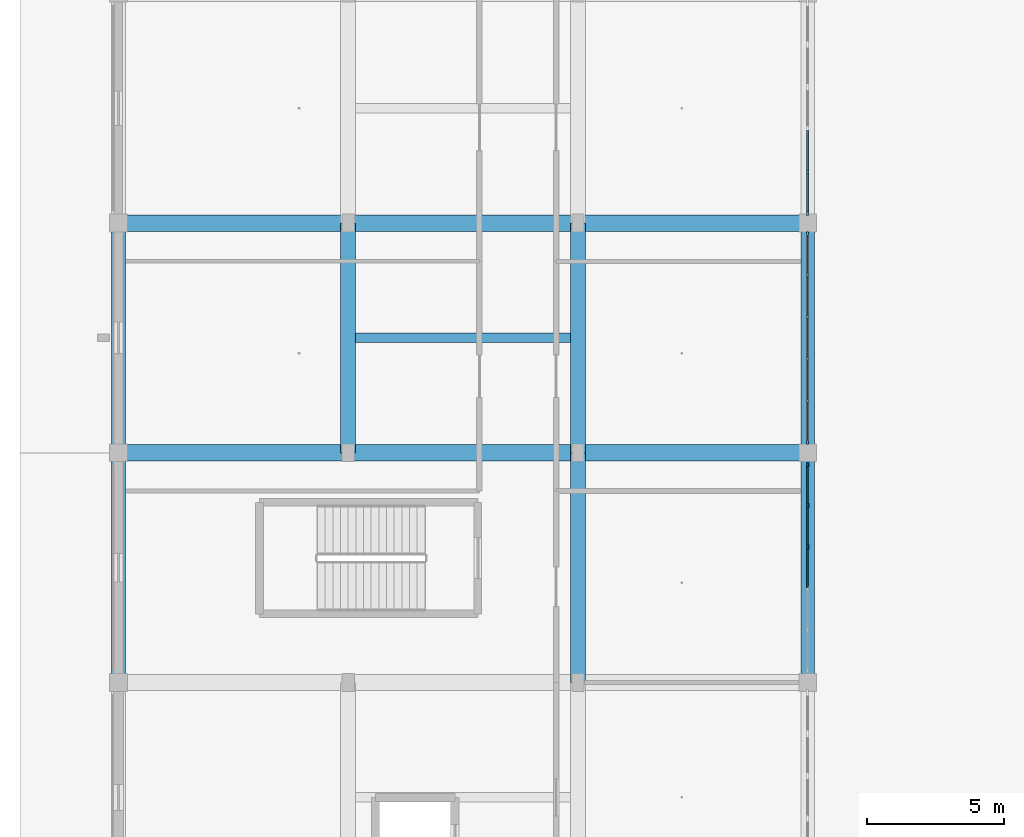
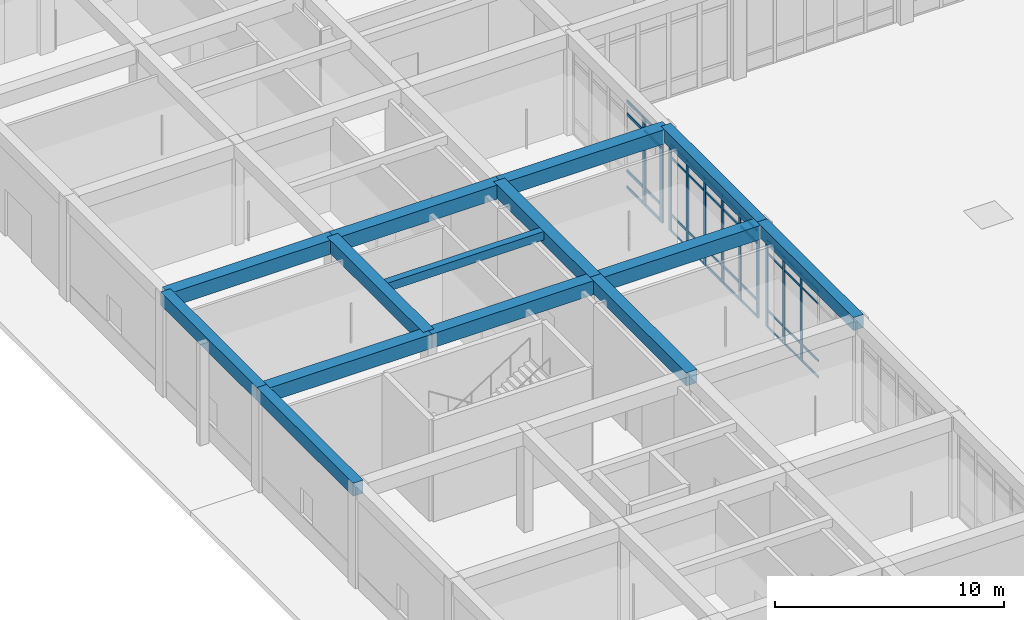
# One storey, part 24 of 167: 51 members, 14 beams, 3 elements without a shape of their own.
"""IFC4 building model written with IfcOpenShell, lengths in metres."""

from ifc_helpers import new_model, si_unit, direction, frame, origin, origin_2d, place, context, subcontext, project, spatial, rectangle, extrude, material, material_profile, profile_set, type_object, element, aggregate, save


model = new_model("IFC4")

# Units and contexts
model_context = context("Model", 3, precision=1e-05, world=origin(), true_north=direction((0.0, 1.0)))
body_context = subcontext(model_context, "Body", "Model", "MODEL_VIEW")
ifc_project = project(units=[si_unit("LENGTHUNIT", "METRE"), si_unit("AREAUNIT", "SQUARE_METRE"), si_unit("VOLUMEUNIT", "CUBIC_METRE"), si_unit("PLANEANGLEUNIT", "RADIAN"), si_unit("MASSUNIT", "GRAM", prefix="KILO")], contexts=[model_context])

# Site, building, storey
site_placement = place(None, origin())
site = spatial("IfcSite", under=ifc_project, at=site_placement, CompositionType="ELEMENT")
building_placement = place(site_placement, origin())
building = spatial("IfcBuilding", under=site, at=building_placement, Name="Varncliffe General Hospital", CompositionType="ELEMENT")
storey_placement = place(building_placement, origin())
storey = spatial("IfcBuildingStorey", under=building, at=storey_placement, Name="L00", CompositionType="ELEMENT", Elevation=0.0)

# Beams
ifc_material_1 = material(Name="Concrete C35/45 (CSA A23.1 35 MPa)", Category="concrete")
ifc_material_profile_1 = material_profile(ifc_material_1, rectangle(XDim=0.60009765625, YDim=0.75, at=origin_2d()), Name="RC 600x750")
ifc_profile_set_1 = profile_set([ifc_material_profile_1], Name="Concrete C35/45 (CSA A23.1 35 MPa)")
beam_type_1 = type_object("IfcBeamType", Name="Beam B23 (Int RC 600x750)", PredefinedType="BEAM", material=ifc_profile_set_1)
beam_1_placement = place(storey_placement, frame((0.0, 66.0, 5.02490234375), z_axis=(1.0, 0.0, 0.0), x_axis=(0.0, 1.0, 0.0)))
element("IfcBeam", 1, at=beam_1_placement, inside=storey, type_object=beam_type_1, Name="L00 Primary Beam B23-86", PredefinedType="BEAM", context=body_context, shape_type="SweptSolid", body=[
    extrude(rectangle(XDim=0.60009765625, YDim=0.75, at=origin_2d()), origin(), (0.0, 0.0, 1.0), 8.39990234375),
])
beam_2_placement = place(storey_placement, frame((8.39990234375, 66.0, 5.02490234375), z_axis=(1.0, 0.0, 0.0), x_axis=(0.0, 1.0, 0.0)))
element("IfcBeam", 2, at=beam_2_placement, inside=storey, type_object=beam_type_1, Name="L00 Primary Beam B23-87", PredefinedType="BEAM", context=body_context, shape_type="SweptSolid", body=[
    extrude(rectangle(XDim=0.60009765625, YDim=0.75, at=origin_2d()), origin(), (0.0, 0.0, 1.0), 8.400146484375),
])
for number, where, z_axis, x_axis, name in (
    (3, (16.800048828125, 66.0, 5.02490234375), (1.0, 0.0, 0.0), (0.0, 1.0, 0.0), "L00 Primary Beam B23-88"),
    (4, (0.0, 74.39990234375, 5.02490234375), (1.0, 0.0, 0.0), (0.0, 1.0, 0.0), "L00 Primary Beam B23-99"),
):
    element("IfcBeam", number, at=place(storey_placement, frame(where, z_axis=z_axis, x_axis=x_axis)), inside=storey, type_object=beam_type_1, Name=name, PredefinedType="BEAM", context=body_context, shape_type="SweptSolid", body=[
        extrude(rectangle(XDim=0.60009765625, YDim=0.75, at=origin_2d()), origin(), (0.0, 0.0, 1.0), 8.39990234375),
    ])
beam_3_placement = place(storey_placement, frame((8.39990234375, 74.39990234375, 5.02490234375), z_axis=(1.0, 0.0, 0.0), x_axis=(0.0, 1.0, 0.0)))
element("IfcBeam", 5, at=beam_3_placement, inside=storey, type_object=beam_type_1, Name="L00 Primary Beam B23-100", PredefinedType="BEAM", context=body_context, shape_type="SweptSolid", body=[
    extrude(rectangle(XDim=0.60009765625, YDim=0.75, at=origin_2d()), origin(), (0.0, 0.0, 1.0), 8.400146484375),
])
beam_4_placement = place(storey_placement, frame((16.800048828125, 74.39990234375, 5.02490234375), z_axis=(1.0, 0.0, 0.0), x_axis=(0.0, 1.0, 0.0)))
element("IfcBeam", 6, at=beam_4_placement, inside=storey, type_object=beam_type_1, Name="L00 Primary Beam B23-101", PredefinedType="BEAM", context=body_context, shape_type="SweptSolid", body=[
    extrude(rectangle(XDim=0.60009765625, YDim=0.75, at=origin_2d()), origin(), (0.0, 0.0, 1.0), 8.39990234375),
])
ifc_material_profile_2 = material_profile(ifc_material_1, rectangle(XDim=0.550048828125, YDim=0.699951171875, at=origin_2d()), Name="RC 550x700")
ifc_profile_set_2 = profile_set([ifc_material_profile_2], Name="Concrete C35/45 (CSA A23.1 35 MPa)")
beam_type_2 = type_object("IfcBeamType", Name="Beam B35 (Int RC 550x700)", PredefinedType="BEAM", material=ifc_profile_set_2)
for number, where, z_axis, x_axis, name in (
    (7, (8.39990234375, 66.0, 5.050048828125), (0.0, 1.0, 0.0), (-1.0, 0.0, 0.0), "L00 Primary Beam B35-282"),
    (8, (16.800048828125, 57.60009765625, 5.050048828125), (0.0, 1.0, 0.0), (-1.0, 0.0, 0.0), "L00 Primary Beam B35-298"),
    (9, (16.800048828125, 66.0, 5.050048828125), (0.0, 1.0, 0.0), (-1.0, 0.0, 0.0), "L00 Primary Beam B35-299"),
):
    element("IfcBeam", number, at=place(storey_placement, frame(where, z_axis=z_axis, x_axis=x_axis)), inside=storey, type_object=beam_type_2, Name=name, PredefinedType="BEAM", context=body_context, shape_type="SweptSolid", body=[
        extrude(rectangle(XDim=0.550048828125, YDim=0.699951171875, at=origin_2d()), origin(), (0.0, 0.0, 1.0), 8.39990234375),
    ])

# Curtain wall, members
ifc_material_2 = material(Name="Triple low-E argon insulated vision glazing", Category="glass")
curtain_wall_type_1 = type_object("IfcCurtainWallType", Name="Unitised Glazed Curtain Wall CW15 (7674x4640)", PredefinedType="USERDEFINED", material=ifc_material_2)
curtain_wall_1_placement = place(storey_placement, origin())
curtain_wall_1 = element("IfcCurtainWall", 10, at=curtain_wall_1_placement, inside=storey, type_object=curtain_wall_type_1, Name="L00 Glazed Curtain Wall CW15-13", ObjectType="GLAZED CURTAIN WALL", PredefinedType="USERDEFINED")
ifc_material_3 = material(Name="Dark bronze thermally broken aluminium framing", Category="aluminium")
ifc_material_profile_3 = material_profile(ifc_material_3, rectangle(XDim=0.074951171875, YDim=0.179931640625, at=origin_2d()), Name="ALU 75x180")
ifc_profile_set_3 = profile_set([ifc_material_profile_3], Name="Dark bronze thermally broken aluminium framing")
member_type_1 = type_object("IfcMemberType", Name="Curtain Wall Mullion CM44 (ALU 75x180)", PredefinedType="MULLION", material=ifc_profile_set_3)
member_1_placement = place(storey_placement, frame((25.199951171875, 73.99951171875, 0.0), z_axis=(0.0, 0.0, 1.0), x_axis=(1.0, 0.0, 0.0)))
member_1 = element("IfcMember", 11, at=member_1_placement, type_object=member_type_1, Name="CW15 mullion 1", PredefinedType="MULLION", context=body_context, shape_type="SweptSolid", body=[
    extrude(rectangle(XDim=0.074951171875, YDim=0.179931640625, at=origin_2d()), origin(), (0.0, 0.0, 1.0), 4.639892578125),
])
member_2_placement = place(storey_placement, frame((25.199951171875, 72.502197265625, 0.0), z_axis=(0.0, 0.0, 1.0), x_axis=(1.0, 0.0, 0.0)))
member_2 = element("IfcMember", 12, at=member_2_placement, type_object=member_type_1, Name="CW15 mullion 2", PredefinedType="MULLION", context=body_context, shape_type="SweptSolid", body=[
    extrude(rectangle(XDim=0.074951171875, YDim=0.179931640625, at=origin_2d()), origin(), (0.0, 0.0, 1.0), 4.639892578125),
])
member_3_placement = place(storey_placement, frame((25.199951171875, 70.96728515625, 0.0), z_axis=(0.0, 0.0, 1.0), x_axis=(1.0, 0.0, 0.0)))
member_3 = element("IfcMember", 13, at=member_3_placement, type_object=member_type_1, Name="CW15 mullion 3", PredefinedType="MULLION", context=body_context, shape_type="SweptSolid", body=[
    extrude(rectangle(XDim=0.074951171875, YDim=0.179931640625, at=origin_2d()), origin(), (0.0, 0.0, 1.0), 4.639892578125),
])
member_4_placement = place(storey_placement, frame((25.199951171875, 69.4326171875, 0.0), z_axis=(0.0, 0.0, 1.0), x_axis=(1.0, 0.0, 0.0)))
member_4 = element("IfcMember", 14, at=member_4_placement, type_object=member_type_1, Name="CW15 mullion 4", PredefinedType="MULLION", context=body_context, shape_type="SweptSolid", body=[
    extrude(rectangle(XDim=0.074951171875, YDim=0.179931640625, at=origin_2d()), origin(), (0.0, 0.0, 1.0), 4.639892578125),
])
member_5_placement = place(storey_placement, frame((25.199951171875, 67.897705078125, 0.0), z_axis=(0.0, 0.0, 1.0), x_axis=(1.0, 0.0, 0.0)))
member_5 = element("IfcMember", 15, at=member_5_placement, type_object=member_type_1, Name="CW15 mullion 5", PredefinedType="MULLION", context=body_context, shape_type="SweptSolid", body=[
    extrude(rectangle(XDim=0.074951171875, YDim=0.179931640625, at=origin_2d()), origin(), (0.0, 0.0, 1.0), 4.639892578125),
])
member_6_placement = place(storey_placement, frame((25.199951171875, 66.400390625, 0.0), z_axis=(0.0, 0.0, 1.0), x_axis=(1.0, 0.0, 0.0)))
member_6 = element("IfcMember", 16, at=member_6_placement, type_object=member_type_1, Name="CW15 mullion 6", PredefinedType="MULLION", context=body_context, shape_type="SweptSolid", body=[
    extrude(rectangle(XDim=0.074951171875, YDim=0.179931640625, at=origin_2d()), origin(), (0.0, 0.0, 1.0), 4.639892578125),
])

curtain_wall_type_2 = type_object("IfcCurtainWallType", Name="Unitised Glazed Curtain Wall CW26 (7594x4640)", PredefinedType="USERDEFINED", material=ifc_material_2)
curtain_wall_2_placement = place(storey_placement, origin())
curtain_wall_2 = element("IfcCurtainWall", 17, at=curtain_wall_2_placement, inside=storey, type_object=curtain_wall_type_2, Name="L00 Glazed Curtain Wall CW26-14", ObjectType="GLAZED CURTAIN WALL", PredefinedType="USERDEFINED")
ifc_material_profile_4 = material_profile(ifc_material_3, rectangle(XDim=0.06494140625, YDim=0.159912109375, at=origin_2d()), Name="ALU 65x160")
ifc_profile_set_4 = profile_set([ifc_material_profile_4], Name="Dark bronze thermally broken aluminium framing")
member_type_2 = type_object("IfcMemberType", Name="Curtain Wall Mullion CM65 (ALU 65x160)", PredefinedType="MULLION", material=ifc_profile_set_4)
member_7_placement = place(storey_placement, frame((25.199951171875, 65.564453125, 0.0), z_axis=(0.0, 0.0, 1.0), x_axis=(1.0, 0.0, 0.0)))
member_7 = element("IfcMember", 18, at=member_7_placement, type_object=member_type_2, Name="CW26 mullion 1", PredefinedType="MULLION", context=body_context, shape_type="SweptSolid", body=[
    extrude(rectangle(XDim=0.06494140625, YDim=0.159912109375, at=origin_2d()), origin(), (0.0, 0.0, 1.0), 4.639892578125),
])
member_8_placement = place(storey_placement, frame((25.199951171875, 64.078125, 0.0), z_axis=(0.0, 0.0, 1.0), x_axis=(1.0, 0.0, 0.0)))
member_8 = element("IfcMember", 19, at=member_8_placement, type_object=member_type_2, Name="CW26 mullion 2", PredefinedType="MULLION", context=body_context, shape_type="SweptSolid", body=[
    extrude(rectangle(XDim=0.06494140625, YDim=0.159912109375, at=origin_2d()), origin(), (0.0, 0.0, 1.0), 4.639892578125),
])
member_9_placement = place(storey_placement, frame((25.199951171875, 62.559326171875, 0.0), z_axis=(0.0, 0.0, 1.0), x_axis=(1.0, 0.0, 0.0)))
member_9 = element("IfcMember", 20, at=member_9_placement, type_object=member_type_2, Name="CW26 mullion 3", PredefinedType="MULLION", context=body_context, shape_type="SweptSolid", body=[
    extrude(rectangle(XDim=0.06494140625, YDim=0.159912109375, at=origin_2d()), origin(), (0.0, 0.0, 1.0), 4.639892578125),
])

curtain_wall_type_3 = type_object("IfcCurtainWallType", Name="Unitised Glazed Curtain Wall CW66 (7754x4640)", PredefinedType="USERDEFINED", material=ifc_material_2)
curtain_wall_3_placement = place(storey_placement, origin())
curtain_wall_3 = element("IfcCurtainWall", 21, at=curtain_wall_3_placement, inside=storey, type_object=curtain_wall_type_3, Name="L00 Glazed Curtain Wall CW66-12", ObjectType="GLAZED CURTAIN WALL", PredefinedType="USERDEFINED")
ifc_material_profile_5 = material_profile(ifc_material_3, rectangle(XDim=0.074951171875, YDim=0.219970703125, at=origin_2d()), Name="ALU 75x220")
ifc_profile_set_5 = profile_set([ifc_material_profile_5], Name="Dark bronze thermally broken aluminium framing")
member_type_3 = type_object("IfcMemberType", Name="Curtain Wall Mullion CM74 (ALU 75x220)", PredefinedType="MULLION", material=ifc_profile_set_5)
member_10_placement = place(storey_placement, frame((25.199951171875, 76.273681640625, 0.0), z_axis=(0.0, 0.0, 1.0), x_axis=(1.0, 0.0, 0.0)))
member_10 = element("IfcMember", 22, at=member_10_placement, type_object=member_type_3, Name="CW66 mullion 5", PredefinedType="MULLION", context=body_context, shape_type="SweptSolid", body=[
    extrude(rectangle(XDim=0.074951171875, YDim=0.219970703125, at=origin_2d()), origin(), (0.0, 0.0, 1.0), 4.639892578125),
])
member_11_placement = place(storey_placement, frame((25.199951171875, 74.760498046875, 0.0), z_axis=(0.0, 0.0, 1.0), x_axis=(1.0, 0.0, 0.0)))
member_11 = element("IfcMember", 23, at=member_11_placement, type_object=member_type_3, Name="CW66 mullion 6", PredefinedType="MULLION", context=body_context, shape_type="SweptSolid", body=[
    extrude(rectangle(XDim=0.074951171875, YDim=0.219970703125, at=origin_2d()), origin(), (0.0, 0.0, 1.0), 4.639892578125),
])

# Member
ifc_material_profile_6 = material_profile(ifc_material_3, rectangle(XDim=0.06005859375, YDim=0.1201171875, at=origin_2d()), Name="ALU 60x120")
ifc_profile_set_6 = profile_set([ifc_material_profile_6], Name="Dark bronze thermally broken aluminium framing")
member_type_4 = type_object("IfcMemberType", Name="Curtain Wall Transom CT14 (ALU 60x120)", PredefinedType="USERDEFINED", material=ifc_profile_set_6)
member_12_placement = place(storey_placement, frame((25.199951171875, 73.9619140625, 0.030029296875), z_axis=(0.0, -1.0, 0.0), x_axis=(1.0, 0.0, 0.0)))
member_12 = element("IfcMember", 24, at=member_12_placement, type_object=member_type_4, Name="CW15 transom 1.1", ObjectType="TRANSOM", PredefinedType="USERDEFINED", context=body_context, shape_type="SweptSolid", body=[
    extrude(rectangle(XDim=0.06005859375, YDim=0.1201171875, at=origin_2d()), origin(), (0.0, 0.0, 1.0), 1.422119140625),
])

member_13_placement = place(storey_placement, frame((25.199951171875, 73.9619140625, 0.89990234375), z_axis=(0.0, -1.0, 0.0), x_axis=(1.0, 0.0, 0.0)))
member_13 = element("IfcMember", 25, at=member_13_placement, type_object=member_type_4, Name="CW15 transom 1.2", ObjectType="TRANSOM", PredefinedType="USERDEFINED", context=body_context, shape_type="SweptSolid", body=[
    extrude(rectangle(XDim=0.06005859375, YDim=0.1201171875, at=origin_2d()), origin(), (0.0, 0.0, 1.0), 1.422119140625),
])

member_14_placement = place(storey_placement, frame((25.199951171875, 73.9619140625, 3.93994140625), z_axis=(0.0, -1.0, 0.0), x_axis=(1.0, 0.0, 0.0)))
member_14 = element("IfcMember", 26, at=member_14_placement, type_object=member_type_4, Name="CW15 transom 1.3", ObjectType="TRANSOM", PredefinedType="USERDEFINED", context=body_context, shape_type="SweptSolid", body=[
    extrude(rectangle(XDim=0.06005859375, YDim=0.1201171875, at=origin_2d()), origin(), (0.0, 0.0, 1.0), 1.422119140625),
])

member_15_placement = place(storey_placement, frame((25.199951171875, 73.9619140625, 4.610107421875), z_axis=(0.0, -1.0, 0.0), x_axis=(1.0, 0.0, 0.0)))
member_15 = element("IfcMember", 27, at=member_15_placement, type_object=member_type_4, Name="CW15 transom 1.4", ObjectType="TRANSOM", PredefinedType="USERDEFINED", context=body_context, shape_type="SweptSolid", body=[
    extrude(rectangle(XDim=0.06005859375, YDim=0.1201171875, at=origin_2d()), origin(), (0.0, 0.0, 1.0), 1.422119140625),
])

member_16_placement = place(storey_placement, frame((25.199951171875, 72.464599609375, 0.030029296875), z_axis=(0.0, -1.0, 0.0), x_axis=(1.0, 0.0, 0.0)))
member_16 = element("IfcMember", 28, at=member_16_placement, type_object=member_type_4, Name="CW15 transom 2.1", ObjectType="TRANSOM", PredefinedType="USERDEFINED", context=body_context, shape_type="SweptSolid", body=[
    extrude(rectangle(XDim=0.06005859375, YDim=0.1201171875, at=origin_2d()), origin(), (0.0, 0.0, 1.0), 1.459716796875),
])

member_17_placement = place(storey_placement, frame((25.199951171875, 72.464599609375, 0.89990234375), z_axis=(0.0, -1.0, 0.0), x_axis=(1.0, 0.0, 0.0)))
member_17 = element("IfcMember", 29, at=member_17_placement, type_object=member_type_4, Name="CW15 transom 2.2", ObjectType="TRANSOM", PredefinedType="USERDEFINED", context=body_context, shape_type="SweptSolid", body=[
    extrude(rectangle(XDim=0.06005859375, YDim=0.1201171875, at=origin_2d()), origin(), (0.0, 0.0, 1.0), 1.459716796875),
])

member_18_placement = place(storey_placement, frame((25.199951171875, 72.464599609375, 3.93994140625), z_axis=(0.0, -1.0, 0.0), x_axis=(1.0, 0.0, 0.0)))
member_18 = element("IfcMember", 30, at=member_18_placement, type_object=member_type_4, Name="CW15 transom 2.3", ObjectType="TRANSOM", PredefinedType="USERDEFINED", context=body_context, shape_type="SweptSolid", body=[
    extrude(rectangle(XDim=0.06005859375, YDim=0.1201171875, at=origin_2d()), origin(), (0.0, 0.0, 1.0), 1.459716796875),
])

member_19_placement = place(storey_placement, frame((25.199951171875, 72.464599609375, 4.610107421875), z_axis=(0.0, -1.0, 0.0), x_axis=(1.0, 0.0, 0.0)))
member_19 = element("IfcMember", 31, at=member_19_placement, type_object=member_type_4, Name="CW15 transom 2.4", ObjectType="TRANSOM", PredefinedType="USERDEFINED", context=body_context, shape_type="SweptSolid", body=[
    extrude(rectangle(XDim=0.06005859375, YDim=0.1201171875, at=origin_2d()), origin(), (0.0, 0.0, 1.0), 1.459716796875),
])

member_20_placement = place(storey_placement, frame((25.199951171875, 70.929931640625, 0.030029296875), z_axis=(0.0, -1.0, 0.0), x_axis=(1.0, 0.0, 0.0)))
member_20 = element("IfcMember", 32, at=member_20_placement, type_object=member_type_4, Name="CW15 transom 3.1", ObjectType="TRANSOM", PredefinedType="USERDEFINED", context=body_context, shape_type="SweptSolid", body=[
    extrude(rectangle(XDim=0.06005859375, YDim=0.1201171875, at=origin_2d()), origin(), (0.0, 0.0, 1.0), 1.459716796875),
])

member_21_placement = place(storey_placement, frame((25.199951171875, 70.929931640625, 0.89990234375), z_axis=(0.0, -1.0, 0.0), x_axis=(1.0, 0.0, 0.0)))
member_21 = element("IfcMember", 33, at=member_21_placement, type_object=member_type_4, Name="CW15 transom 3.2", ObjectType="TRANSOM", PredefinedType="USERDEFINED", context=body_context, shape_type="SweptSolid", body=[
    extrude(rectangle(XDim=0.06005859375, YDim=0.1201171875, at=origin_2d()), origin(), (0.0, 0.0, 1.0), 1.459716796875),
])

member_22_placement = place(storey_placement, frame((25.199951171875, 70.929931640625, 3.93994140625), z_axis=(0.0, -1.0, 0.0), x_axis=(1.0, 0.0, 0.0)))
member_22 = element("IfcMember", 34, at=member_22_placement, type_object=member_type_4, Name="CW15 transom 3.3", ObjectType="TRANSOM", PredefinedType="USERDEFINED", context=body_context, shape_type="SweptSolid", body=[
    extrude(rectangle(XDim=0.06005859375, YDim=0.1201171875, at=origin_2d()), origin(), (0.0, 0.0, 1.0), 1.459716796875),
])

member_23_placement = place(storey_placement, frame((25.199951171875, 70.929931640625, 4.610107421875), z_axis=(0.0, -1.0, 0.0), x_axis=(1.0, 0.0, 0.0)))
member_23 = element("IfcMember", 35, at=member_23_placement, type_object=member_type_4, Name="CW15 transom 3.4", ObjectType="TRANSOM", PredefinedType="USERDEFINED", context=body_context, shape_type="SweptSolid", body=[
    extrude(rectangle(XDim=0.06005859375, YDim=0.1201171875, at=origin_2d()), origin(), (0.0, 0.0, 1.0), 1.459716796875),
])

member_24_placement = place(storey_placement, frame((25.199951171875, 69.39501953125, 0.030029296875), z_axis=(0.0, -1.0, 0.0), x_axis=(1.0, 0.0, 0.0)))
member_24 = element("IfcMember", 36, at=member_24_placement, type_object=member_type_4, Name="CW15 transom 4.1", ObjectType="TRANSOM", PredefinedType="USERDEFINED", context=body_context, shape_type="SweptSolid", body=[
    extrude(rectangle(XDim=0.06005859375, YDim=0.1201171875, at=origin_2d()), origin(), (0.0, 0.0, 1.0), 1.459716796875),
])

member_25_placement = place(storey_placement, frame((25.199951171875, 69.39501953125, 0.89990234375), z_axis=(0.0, -1.0, 0.0), x_axis=(1.0, 0.0, 0.0)))
member_25 = element("IfcMember", 37, at=member_25_placement, type_object=member_type_4, Name="CW15 transom 4.2", ObjectType="TRANSOM", PredefinedType="USERDEFINED", context=body_context, shape_type="SweptSolid", body=[
    extrude(rectangle(XDim=0.06005859375, YDim=0.1201171875, at=origin_2d()), origin(), (0.0, 0.0, 1.0), 1.459716796875),
])

member_26_placement = place(storey_placement, frame((25.199951171875, 69.39501953125, 3.93994140625), z_axis=(0.0, -1.0, 0.0), x_axis=(1.0, 0.0, 0.0)))
member_26 = element("IfcMember", 38, at=member_26_placement, type_object=member_type_4, Name="CW15 transom 4.3", ObjectType="TRANSOM", PredefinedType="USERDEFINED", context=body_context, shape_type="SweptSolid", body=[
    extrude(rectangle(XDim=0.06005859375, YDim=0.1201171875, at=origin_2d()), origin(), (0.0, 0.0, 1.0), 1.459716796875),
])

member_27_placement = place(storey_placement, frame((25.199951171875, 69.39501953125, 4.610107421875), z_axis=(0.0, -1.0, 0.0), x_axis=(1.0, 0.0, 0.0)))
member_27 = element("IfcMember", 39, at=member_27_placement, type_object=member_type_4, Name="CW15 transom 4.4", ObjectType="TRANSOM", PredefinedType="USERDEFINED", context=body_context, shape_type="SweptSolid", body=[
    extrude(rectangle(XDim=0.06005859375, YDim=0.1201171875, at=origin_2d()), origin(), (0.0, 0.0, 1.0), 1.459716796875),
])

member_28_placement = place(storey_placement, frame((25.199951171875, 67.8603515625, 0.030029296875), z_axis=(0.0, -1.0, 0.0), x_axis=(1.0, 0.0, 0.0)))
member_28 = element("IfcMember", 40, at=member_28_placement, type_object=member_type_4, Name="CW15 transom 5.1", ObjectType="TRANSOM", PredefinedType="USERDEFINED", context=body_context, shape_type="SweptSolid", body=[
    extrude(rectangle(XDim=0.06005859375, YDim=0.1201171875, at=origin_2d()), origin(), (0.0, 0.0, 1.0), 1.42236328125),
])

member_29_placement = place(storey_placement, frame((25.199951171875, 67.8603515625, 0.89990234375), z_axis=(0.0, -1.0, 0.0), x_axis=(1.0, 0.0, 0.0)))
member_29 = element("IfcMember", 41, at=member_29_placement, type_object=member_type_4, Name="CW15 transom 5.2", ObjectType="TRANSOM", PredefinedType="USERDEFINED", context=body_context, shape_type="SweptSolid", body=[
    extrude(rectangle(XDim=0.06005859375, YDim=0.1201171875, at=origin_2d()), origin(), (0.0, 0.0, 1.0), 1.42236328125),
])

member_30_placement = place(storey_placement, frame((25.199951171875, 67.8603515625, 3.93994140625), z_axis=(0.0, -1.0, 0.0), x_axis=(1.0, 0.0, 0.0)))
member_30 = element("IfcMember", 42, at=member_30_placement, type_object=member_type_4, Name="CW15 transom 5.3", ObjectType="TRANSOM", PredefinedType="USERDEFINED", context=body_context, shape_type="SweptSolid", body=[
    extrude(rectangle(XDim=0.06005859375, YDim=0.1201171875, at=origin_2d()), origin(), (0.0, 0.0, 1.0), 1.42236328125),
])

member_31_placement = place(storey_placement, frame((25.199951171875, 67.8603515625, 4.610107421875), z_axis=(0.0, -1.0, 0.0), x_axis=(1.0, 0.0, 0.0)))
member_31 = element("IfcMember", 43, at=member_31_placement, type_object=member_type_4, Name="CW15 transom 5.4", ObjectType="TRANSOM", PredefinedType="USERDEFINED", context=body_context, shape_type="SweptSolid", body=[
    extrude(rectangle(XDim=0.06005859375, YDim=0.1201171875, at=origin_2d()), origin(), (0.0, 0.0, 1.0), 1.42236328125),
])

aggregate(curtain_wall_1, [member_1, member_2, member_3, member_4, member_5, member_6, member_12, member_13, member_14, member_15, member_16, member_17, member_18, member_19, member_20, member_21, member_22, member_23, member_24, member_25, member_26, member_27, member_28, member_29, member_30, member_31])

ifc_material_profile_7 = material_profile(ifc_material_3, rectangle(XDim=0.06005859375, YDim=0.10009765625, at=origin_2d()), Name="ALU 60x100")
ifc_profile_set_7 = profile_set([ifc_material_profile_7], Name="Dark bronze thermally broken aluminium framing")
member_type_5 = type_object("IfcMemberType", Name="Curtain Wall Transom CT18 (ALU 60x100)", PredefinedType="USERDEFINED", material=ifc_profile_set_7)
member_32_placement = place(storey_placement, frame((25.199951171875, 65.531982421875, 0.030029296875), z_axis=(0.0, -1.0, 0.0), x_axis=(1.0, 0.0, 0.0)))
member_32 = element("IfcMember", 44, at=member_32_placement, type_object=member_type_5, Name="CW26 transom 1.1", ObjectType="TRANSOM", PredefinedType="USERDEFINED", context=body_context, shape_type="SweptSolid", body=[
    extrude(rectangle(XDim=0.06005859375, YDim=0.10009765625, at=origin_2d()), origin(), (0.0, 0.0, 1.0), 1.42138671875),
])

member_33_placement = place(storey_placement, frame((25.199951171875, 65.531982421875, 0.89990234375), z_axis=(0.0, -1.0, 0.0), x_axis=(1.0, 0.0, 0.0)))
member_33 = element("IfcMember", 45, at=member_33_placement, type_object=member_type_5, Name="CW26 transom 1.2", ObjectType="TRANSOM", PredefinedType="USERDEFINED", context=body_context, shape_type="SweptSolid", body=[
    extrude(rectangle(XDim=0.06005859375, YDim=0.10009765625, at=origin_2d()), origin(), (0.0, 0.0, 1.0), 1.42138671875),
])

member_34_placement = place(storey_placement, frame((25.199951171875, 65.531982421875, 3.93994140625), z_axis=(0.0, -1.0, 0.0), x_axis=(1.0, 0.0, 0.0)))
member_34 = element("IfcMember", 46, at=member_34_placement, type_object=member_type_5, Name="CW26 transom 1.3", ObjectType="TRANSOM", PredefinedType="USERDEFINED", context=body_context, shape_type="SweptSolid", body=[
    extrude(rectangle(XDim=0.06005859375, YDim=0.10009765625, at=origin_2d()), origin(), (0.0, 0.0, 1.0), 1.42138671875),
])

member_35_placement = place(storey_placement, frame((25.199951171875, 65.531982421875, 4.610107421875), z_axis=(0.0, -1.0, 0.0), x_axis=(1.0, 0.0, 0.0)))
member_35 = element("IfcMember", 47, at=member_35_placement, type_object=member_type_5, Name="CW26 transom 1.4", ObjectType="TRANSOM", PredefinedType="USERDEFINED", context=body_context, shape_type="SweptSolid", body=[
    extrude(rectangle(XDim=0.06005859375, YDim=0.10009765625, at=origin_2d()), origin(), (0.0, 0.0, 1.0), 1.42138671875),
])

member_36_placement = place(storey_placement, frame((25.199951171875, 64.045654296875, 0.030029296875), z_axis=(0.0, -1.0, 0.0), x_axis=(1.0, 0.0, 0.0)))
member_36 = element("IfcMember", 48, at=member_36_placement, type_object=member_type_5, Name="CW26 transom 2.1", ObjectType="TRANSOM", PredefinedType="USERDEFINED", context=body_context, shape_type="SweptSolid", body=[
    extrude(rectangle(XDim=0.06005859375, YDim=0.10009765625, at=origin_2d()), origin(), (0.0, 0.0, 1.0), 1.453857421875),
])

member_37_placement = place(storey_placement, frame((25.199951171875, 64.045654296875, 0.89990234375), z_axis=(0.0, -1.0, 0.0), x_axis=(1.0, 0.0, 0.0)))
member_37 = element("IfcMember", 49, at=member_37_placement, type_object=member_type_5, Name="CW26 transom 2.2", ObjectType="TRANSOM", PredefinedType="USERDEFINED", context=body_context, shape_type="SweptSolid", body=[
    extrude(rectangle(XDim=0.06005859375, YDim=0.10009765625, at=origin_2d()), origin(), (0.0, 0.0, 1.0), 1.453857421875),
])

member_38_placement = place(storey_placement, frame((25.199951171875, 64.045654296875, 3.93994140625), z_axis=(0.0, -1.0, 0.0), x_axis=(1.0, 0.0, 0.0)))
member_38 = element("IfcMember", 50, at=member_38_placement, type_object=member_type_5, Name="CW26 transom 2.3", ObjectType="TRANSOM", PredefinedType="USERDEFINED", context=body_context, shape_type="SweptSolid", body=[
    extrude(rectangle(XDim=0.06005859375, YDim=0.10009765625, at=origin_2d()), origin(), (0.0, 0.0, 1.0), 1.453857421875),
])

member_39_placement = place(storey_placement, frame((25.199951171875, 64.045654296875, 4.610107421875), z_axis=(0.0, -1.0, 0.0), x_axis=(1.0, 0.0, 0.0)))
member_39 = element("IfcMember", 51, at=member_39_placement, type_object=member_type_5, Name="CW26 transom 2.4", ObjectType="TRANSOM", PredefinedType="USERDEFINED", context=body_context, shape_type="SweptSolid", body=[
    extrude(rectangle(XDim=0.06005859375, YDim=0.10009765625, at=origin_2d()), origin(), (0.0, 0.0, 1.0), 1.453857421875),
])

member_40_placement = place(storey_placement, frame((25.199951171875, 62.52685546875, 0.030029296875), z_axis=(0.0, -1.0, 0.0), x_axis=(1.0, 0.0, 0.0)))
member_40 = element("IfcMember", 52, at=member_40_placement, type_object=member_type_5, Name="CW26 transom 3.1", ObjectType="TRANSOM", PredefinedType="USERDEFINED", context=body_context, shape_type="SweptSolid", body=[
    extrude(rectangle(XDim=0.06005859375, YDim=0.10009765625, at=origin_2d()), origin(), (0.0, 0.0, 1.0), 1.453857421875),
])

member_41_placement = place(storey_placement, frame((25.199951171875, 62.52685546875, 0.89990234375), z_axis=(0.0, -1.0, 0.0), x_axis=(1.0, 0.0, 0.0)))
member_41 = element("IfcMember", 53, at=member_41_placement, type_object=member_type_5, Name="CW26 transom 3.2", ObjectType="TRANSOM", PredefinedType="USERDEFINED", context=body_context, shape_type="SweptSolid", body=[
    extrude(rectangle(XDim=0.06005859375, YDim=0.10009765625, at=origin_2d()), origin(), (0.0, 0.0, 1.0), 1.453857421875),
])

member_42_placement = place(storey_placement, frame((25.199951171875, 62.52685546875, 3.93994140625), z_axis=(0.0, -1.0, 0.0), x_axis=(1.0, 0.0, 0.0)))
member_42 = element("IfcMember", 54, at=member_42_placement, type_object=member_type_5, Name="CW26 transom 3.3", ObjectType="TRANSOM", PredefinedType="USERDEFINED", context=body_context, shape_type="SweptSolid", body=[
    extrude(rectangle(XDim=0.06005859375, YDim=0.10009765625, at=origin_2d()), origin(), (0.0, 0.0, 1.0), 1.453857421875),
])

member_43_placement = place(storey_placement, frame((25.199951171875, 62.52685546875, 4.610107421875), z_axis=(0.0, -1.0, 0.0), x_axis=(1.0, 0.0, 0.0)))
member_43 = element("IfcMember", 55, at=member_43_placement, type_object=member_type_5, Name="CW26 transom 3.4", ObjectType="TRANSOM", PredefinedType="USERDEFINED", context=body_context, shape_type="SweptSolid", body=[
    extrude(rectangle(XDim=0.06005859375, YDim=0.10009765625, at=origin_2d()), origin(), (0.0, 0.0, 1.0), 1.453857421875),
])

aggregate(curtain_wall_2, [member_7, member_8, member_9, member_32, member_33, member_34, member_35, member_36, member_37, member_38, member_39, member_40, member_41, member_42, member_43])

ifc_material_profile_8 = material_profile(ifc_material_3, rectangle(XDim=0.06494140625, YDim=0.139892578125, at=origin_2d()), Name="ALU 65x140")
ifc_profile_set_8 = profile_set([ifc_material_profile_8], Name="Dark bronze thermally broken aluminium framing")
member_type_6 = type_object("IfcMemberType", Name="Curtain Wall Transom CT69 (ALU 65x140)", PredefinedType="USERDEFINED", material=ifc_profile_set_8)
member_44_placement = place(storey_placement, frame((25.199951171875, 77.787109375, 0.032470703125), z_axis=(0.0, -1.0, 0.0), x_axis=(1.0, 0.0, 0.0)))
member_44 = element("IfcMember", 56, at=member_44_placement, type_object=member_type_6, Name="CW66 transom 4.1", ObjectType="TRANSOM", PredefinedType="USERDEFINED", context=body_context, shape_type="SweptSolid", body=[
    extrude(rectangle(XDim=0.06494140625, YDim=0.139892578125, at=origin_2d()), origin(), (0.0, 0.0, 1.0), 1.475830078125),
])

member_45_placement = place(storey_placement, frame((25.199951171875, 77.787109375, 0.89990234375), z_axis=(0.0, -1.0, 0.0), x_axis=(1.0, 0.0, 0.0)))
member_45 = element("IfcMember", 57, at=member_45_placement, type_object=member_type_6, Name="CW66 transom 4.2", ObjectType="TRANSOM", PredefinedType="USERDEFINED", context=body_context, shape_type="SweptSolid", body=[
    extrude(rectangle(XDim=0.06494140625, YDim=0.139892578125, at=origin_2d()), origin(), (0.0, 0.0, 1.0), 1.475830078125),
])

member_46_placement = place(storey_placement, frame((25.199951171875, 77.787109375, 3.93994140625), z_axis=(0.0, -1.0, 0.0), x_axis=(1.0, 0.0, 0.0)))
member_46 = element("IfcMember", 58, at=member_46_placement, type_object=member_type_6, Name="CW66 transom 4.3", ObjectType="TRANSOM", PredefinedType="USERDEFINED", context=body_context, shape_type="SweptSolid", body=[
    extrude(rectangle(XDim=0.06494140625, YDim=0.139892578125, at=origin_2d()), origin(), (0.0, 0.0, 1.0), 1.475830078125),
])

member_47_placement = place(storey_placement, frame((25.199951171875, 77.787109375, 4.607421875), z_axis=(0.0, -1.0, 0.0), x_axis=(1.0, 0.0, 0.0)))
member_47 = element("IfcMember", 59, at=member_47_placement, type_object=member_type_6, Name="CW66 transom 4.4", ObjectType="TRANSOM", PredefinedType="USERDEFINED", context=body_context, shape_type="SweptSolid", body=[
    extrude(rectangle(XDim=0.06494140625, YDim=0.139892578125, at=origin_2d()), origin(), (0.0, 0.0, 1.0), 1.475830078125),
])

member_48_placement = place(storey_placement, frame((25.199951171875, 76.236328125, 0.032470703125), z_axis=(0.0, -1.0, 0.0), x_axis=(1.0, 0.0, 0.0)))
member_48 = element("IfcMember", 60, at=member_48_placement, type_object=member_type_6, Name="CW66 transom 5.1", ObjectType="TRANSOM", PredefinedType="USERDEFINED", context=body_context, shape_type="SweptSolid", body=[
    extrude(rectangle(XDim=0.06494140625, YDim=0.139892578125, at=origin_2d()), origin(), (0.0, 0.0, 1.0), 1.438232421875),
])

member_49_placement = place(storey_placement, frame((25.199951171875, 76.236328125, 0.89990234375), z_axis=(0.0, -1.0, 0.0), x_axis=(1.0, 0.0, 0.0)))
member_49 = element("IfcMember", 61, at=member_49_placement, type_object=member_type_6, Name="CW66 transom 5.2", ObjectType="TRANSOM", PredefinedType="USERDEFINED", context=body_context, shape_type="SweptSolid", body=[
    extrude(rectangle(XDim=0.06494140625, YDim=0.139892578125, at=origin_2d()), origin(), (0.0, 0.0, 1.0), 1.438232421875),
])

member_50_placement = place(storey_placement, frame((25.199951171875, 76.236328125, 3.93994140625), z_axis=(0.0, -1.0, 0.0), x_axis=(1.0, 0.0, 0.0)))
member_50 = element("IfcMember", 62, at=member_50_placement, type_object=member_type_6, Name="CW66 transom 5.3", ObjectType="TRANSOM", PredefinedType="USERDEFINED", context=body_context, shape_type="SweptSolid", body=[
    extrude(rectangle(XDim=0.06494140625, YDim=0.139892578125, at=origin_2d()), origin(), (0.0, 0.0, 1.0), 1.438232421875),
])

member_51_placement = place(storey_placement, frame((25.199951171875, 76.236328125, 4.607421875), z_axis=(0.0, -1.0, 0.0), x_axis=(1.0, 0.0, 0.0)))
member_51 = element("IfcMember", 63, at=member_51_placement, type_object=member_type_6, Name="CW66 transom 5.4", ObjectType="TRANSOM", PredefinedType="USERDEFINED", context=body_context, shape_type="SweptSolid", body=[
    extrude(rectangle(XDim=0.06494140625, YDim=0.139892578125, at=origin_2d()), origin(), (0.0, 0.0, 1.0), 1.438232421875),
])

aggregate(curtain_wall_3, [member_10, member_11, member_44, member_45, member_46, member_47, member_48, member_49, member_50, member_51])

# Beams
ifc_material_profile_9 = material_profile(ifc_material_1, rectangle(XDim=0.35009765625, YDim=0.449951171875, at=origin_2d()), Name="RC 350x450")
ifc_profile_set_9 = profile_set([ifc_material_profile_9], Name="Concrete C35/45 (CSA A23.1 35 MPa)")
beam_type_3 = type_object("IfcBeamType", Name="Joist J55 (Int RC 350x450)", PredefinedType="JOIST", material=ifc_profile_set_9)
beam_5_placement = place(storey_placement, frame((8.673095703125, 70.199951171875, 5.175048828125), z_axis=(1.0, 0.0, 0.0), x_axis=(0.0, 1.0, 0.0)))
element("IfcBeam", 64, at=beam_5_placement, inside=storey, type_object=beam_type_3, Name="L00 Secondary Floor Rib J55-6", PredefinedType="JOIST", context=body_context, shape_type="SweptSolid", body=[
    extrude(rectangle(XDim=0.35009765625, YDim=0.449951171875, at=origin_2d()), origin(), (0.0, 0.0, 1.0), 7.85400390625),
])
ifc_material_profile_10 = material_profile(ifc_material_1, rectangle(XDim=0.5, YDim=0.699951171875, at=origin_2d()), Name="RC 500x700")
ifc_profile_set_10 = profile_set([ifc_material_profile_10], Name="Concrete C35/45 (CSA A23.1 35 MPa)")
beam_type_4 = type_object("IfcBeamType", Name="Spandrel SP19 (Ext RC 500x700)", PredefinedType="SPANDREL", material=ifc_profile_set_10)
for number, where, z_axis, x_axis, name in (
    (65, (0.0, 57.60009765625, 5.050048828125), (0.0, 1.0, 0.0), (-1.0, 0.0, 0.0), "L00 Spandrel Beam SP19-266"),
    (66, (0.0, 66.0, 5.050048828125), (0.0, 1.0, 0.0), (-1.0, 0.0, 0.0), "L00 Spandrel Beam SP19-267"),
    (67, (25.199951171875, 57.60009765625, 5.050048828125), (0.0, 1.0, 0.0), (-1.0, 0.0, 0.0), "L00 Spandrel Beam SP19-315"),
    (68, (25.199951171875, 66.0, 5.050048828125), (0.0, 1.0, 0.0), (-1.0, 0.0, 0.0), "L00 Spandrel Beam SP19-316"),
):
    element("IfcBeam", number, at=place(storey_placement, frame(where, z_axis=z_axis, x_axis=x_axis)), inside=storey, type_object=beam_type_4, Name=name, PredefinedType="SPANDREL", context=body_context, shape_type="SweptSolid", body=[
        extrude(rectangle(XDim=0.5, YDim=0.699951171875, at=origin_2d()), origin(), (0.0, 0.0, 1.0), 8.39990234375),
    ])

save(model, "model.ifc")
